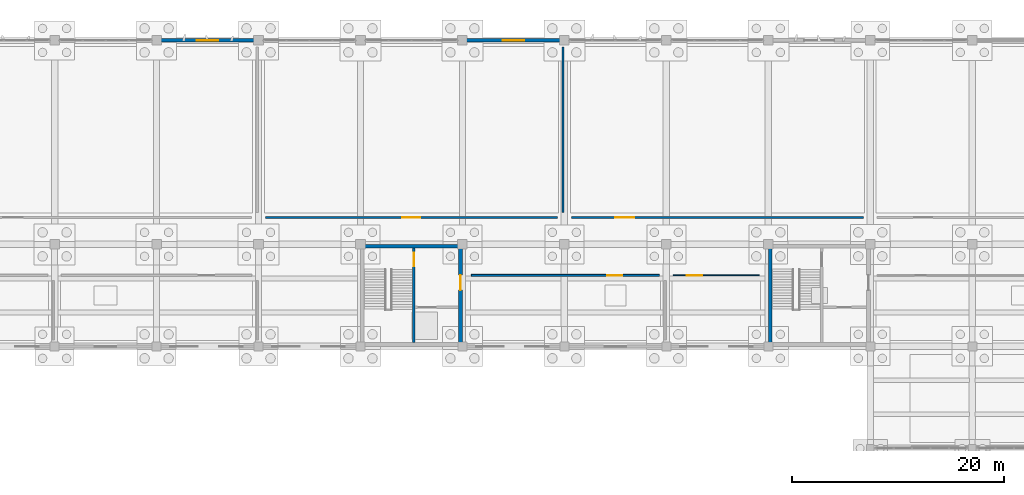
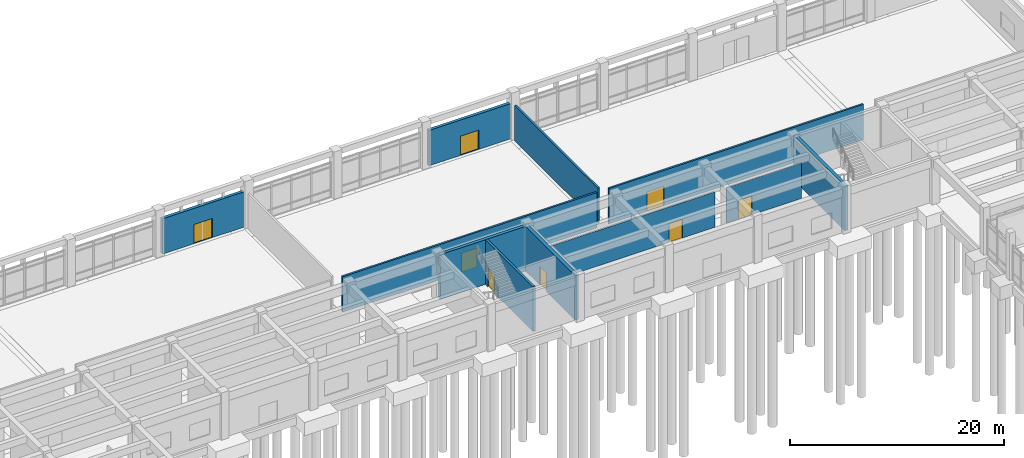
# One storey, part 82 of 102: 11 walls, 8 doors, 8 openings.
"""IFC4 building model written with IfcOpenShell, lengths in metres."""

from ifc_helpers import new_model, si_unit, direction, frame, frame_2d, origin, place, context, subcontext, project, spatial, rectangle, extrude, material, layer, layer_set, type_object, element, fill, save


model = new_model("IFC4")

# Units and contexts
model_context = context("Model", 3, precision=1e-05, world=origin(), true_north=direction((0.0, 1.0)))
body_context = subcontext(model_context, "Body", "Model", "MODEL_VIEW")
ifc_project = project(units=[si_unit("LENGTHUNIT", "METRE"), si_unit("AREAUNIT", "SQUARE_METRE"), si_unit("VOLUMEUNIT", "CUBIC_METRE"), si_unit("PLANEANGLEUNIT", "RADIAN"), si_unit("MASSUNIT", "GRAM", prefix="KILO")], contexts=[model_context])

# Site, building, storey
site_placement = place(None, origin())
site = spatial("IfcSite", under=ifc_project, at=site_placement, CompositionType="ELEMENT")
building_placement = place(site_placement, origin())
building = spatial("IfcBuilding", under=site, at=building_placement, Name="Kolvemor Railside Polytechnic", CompositionType="ELEMENT")
storey_placement = place(building_placement, origin())
storey = spatial("IfcBuildingStorey", under=building, at=storey_placement, Name="L00", CompositionType="ELEMENT", Elevation=0.0)

# Wall
ifc_material_1 = material(Name="Concrete C40/50", Category="concrete")
ifc_layer_1 = layer(ifc_material_1, 0.35009765625, Name="WL-CORE-350")
ifc_layer_set_1 = layer_set([ifc_layer_1], Name="Concrete C40/50")
wall_type_1 = type_object("IfcWallType", Name="WL-CORE-350", PredefinedType="SHEAR", material=ifc_layer_set_1)
wall_1_placement = place(storey_placement, frame((86.39990234375, 100.625, 0.0), z_axis=(0.0, 0.0, 1.0), x_axis=(1.0, 0.0, 0.0)))
element("IfcWall", 1, at=wall_1_placement, inside=storey, type_object=wall_type_1, Name="CORE-8 North Core Wall L00", PredefinedType="SHEAR", context=body_context, shape_type="SweptSolid", body=[
    extrude(rectangle(XDim=9.60009765625, YDim=0.35009765625, at=frame_2d((4.800048828125, 0.0))), origin(), (0.0, 0.0, 1.0), 5.110107421875),
])

# Wall, opening, door
wall_2_placement = place(storey_placement, frame((95.824951171875, 91.199951171875, 0.0), z_axis=(0.0, 0.0, 1.0), x_axis=(0.0, 1.0, 0.0)))
wall_2 = element("IfcWall", 2, at=wall_2_placement, inside=storey, type_object=wall_type_1, Name="CORE-8 East Core Wall L00", PredefinedType="SHEAR", context=body_context, shape_type="SweptSolid", body=[
    extrude(rectangle(XDim=9.60009765625, YDim=0.35009765625, at=frame_2d((4.800048828125, 0.0))), origin(), (0.0, 0.0, 1.0), 5.110107421875),
])
opening_1_placement = place(wall_2_placement, frame((5.300048828125, 0.0, 0.0)))
opening_1 = element("IfcOpeningElement", 3, at=opening_1_placement, cuts=wall_2, Name="Opening D-LOB-8-L00", PredefinedType="OPENING", context=body_context, shape_type="SweptSolid", body=[
    extrude(rectangle(XDim=1.39990234375, YDim=2.14990234375, at=frame_2d((0.699951171875, 1.074951171875))), frame((0.0, 0.18505859375, 0.0), z_axis=(0.0, -1.0, 0.0), x_axis=(1.0, 0.0, 0.0)), (0.0, 0.0, 1.0), 0.3701171875),
])
ifc_material_2 = material(Name="Fire-rated hardwood and brushed stainless-steel door", Category="steel")
door_type_1 = type_object("IfcDoorType", Name="DR-FD60-140x215", OperationType="NOTDEFINED", PredefinedType="DOOR", material=ifc_material_2)
door_1_placement = place(opening_1_placement, origin())
door_1 = element("IfcDoor", 4, at=door_1_placement, inside=storey, type_object=door_type_1, Name="Core Lobby Fire Door CORE-8 L00", OperationType="SINGLE_SWING_LEFT", OverallHeight=2.14990234375, OverallWidth=1.39990234375, PredefinedType="DOOR", context=body_context, shape_type="SweptSolid", body=[
    extrude(rectangle(XDim=1.39990234375, YDim=2.14990234375, at=frame_2d((0.699951171875, 1.074951171875))), frame((0.0, 0.02490234375, 0.0), z_axis=(0.0, -1.0, 0.0), x_axis=(1.0, 0.0, 0.0)), (0.0, 0.0, 1.0), 0.050048828125),
])
fill(opening_1, door_1)

# Wall
wall_3_placement = place(storey_placement, frame((124.97509765625, 91.199951171875, 0.0), z_axis=(0.0, 0.0, 1.0), x_axis=(0.0, 1.0, 0.0)))
element("IfcWall", 5, at=wall_3_placement, inside=storey, type_object=wall_type_1, Name="CORE-9 West Core Wall L00", PredefinedType="SHEAR", context=body_context, shape_type="SweptSolid", body=[
    extrude(rectangle(XDim=9.60009765625, YDim=0.35009765625, at=frame_2d((4.800048828125, 0.0))), origin(), (0.0, 0.0, 1.0), 5.110107421875),
])

# Wall, opening, door
ifc_material_3 = material(Name="Concrete C40/50", Category="concrete")
ifc_layer_2 = layer(ifc_material_3, 0.320068359375, Name="WL-EXT-RC-320")
ifc_layer_set_2 = layer_set([ifc_layer_2], Name="Concrete C40/50")
wall_type_2 = type_object("IfcWallType", Name="WL-EXT-RC-320", PredefinedType="SOLIDWALL", material=ifc_layer_set_2)
wall_4_placement = place(storey_placement, frame((76.419921875, 120.0, 0.0), z_axis=(0.0, 0.0, 1.0), x_axis=(-1.0, 0.0, 0.0)))
wall_4 = element("IfcWall", 6, at=wall_4_placement, inside=storey, type_object=wall_type_2, Name="Exterior Wall L00-0006", PredefinedType="SOLIDWALL", context=body_context, shape_type="SweptSolid", body=[
    extrude(rectangle(XDim=8.83984375, YDim=0.320068359375, at=frame_2d((4.419921875, 0.0))), origin(), (0.0, 0.0, 1.0), 4.0400390625),
])
opening_2_placement = place(wall_4_placement, frame((3.419921875, 0.0, 0.0)))
opening_2 = element("IfcOpeningElement", 7, at=opening_2_placement, cuts=wall_4, Name="Opening EX-02", PredefinedType="OPENING", context=body_context, shape_type="SweptSolid", body=[
    extrude(rectangle(XDim=2.0, YDim=2.199951171875, at=frame_2d((1.0, 1.10009765625))), frame((0.0, 0.169921875, 0.0), z_axis=(0.0, -1.0, 0.0), x_axis=(1.0, 0.0, 0.0)), (0.0, 0.0, 1.0), 0.340087890625),
])
ifc_material_4 = material(Name="Marine-grade thermally broken aluminium and laminated glass door", Category="aluminium")
door_type_2 = type_object("IfcDoorType", Name="DR-EXIT-200x220", OperationType="NOTDEFINED", PredefinedType="DOOR", material=ifc_material_4)
door_2_placement = place(opening_2_placement, origin())
door_2 = element("IfcDoor", 8, at=door_2_placement, inside=storey, type_object=door_type_2, Name="Exterior Door EX-02", OperationType="SINGLE_SWING_RIGHT", OverallHeight=2.199951171875, OverallWidth=2.0, PredefinedType="DOOR", context=body_context, shape_type="SweptSolid", body=[
    extrude(rectangle(XDim=2.0, YDim=2.199951171875, at=frame_2d((1.0, 1.10009765625))), frame((0.0, 0.02490234375, 0.0), z_axis=(0.0, -1.0, 0.0), x_axis=(1.0, 0.0, 0.0)), (0.0, 0.0, 1.0), 0.050048828125),
])
fill(opening_2, door_2)

wall_5_placement = place(storey_placement, frame((105.219970703125, 120.0, 0.0), z_axis=(0.0, 0.0, 1.0), x_axis=(-1.0, 0.0, 0.0)))
wall_5 = element("IfcWall", 9, at=wall_5_placement, inside=storey, type_object=wall_type_2, Name="Exterior Wall L00-0009", PredefinedType="SOLIDWALL", context=body_context, shape_type="SweptSolid", body=[
    extrude(rectangle(XDim=8.840087890625, YDim=0.320068359375, at=frame_2d((4.419921875, 0.0))), origin(), (0.0, 0.0, 1.0), 4.0400390625),
])
opening_3_placement = place(wall_5_placement, frame((3.419921875, 0.0, 0.0)))
opening_3 = element("IfcOpeningElement", 10, at=opening_3_placement, cuts=wall_5, Name="Opening EX-03", PredefinedType="OPENING", context=body_context, shape_type="SweptSolid", body=[
    extrude(rectangle(XDim=2.0, YDim=2.199951171875, at=frame_2d((1.0, 1.10009765625))), frame((0.0, 0.169921875, 0.0), z_axis=(0.0, -1.0, 0.0), x_axis=(1.0, 0.0, 0.0)), (0.0, 0.0, 1.0), 0.340087890625),
])
door_3_placement = place(opening_3_placement, origin())
door_3 = element("IfcDoor", 11, at=door_3_placement, inside=storey, type_object=door_type_2, Name="Exterior Door EX-03", OperationType="SINGLE_SWING_LEFT", OverallHeight=2.199951171875, OverallWidth=2.0, PredefinedType="DOOR", context=body_context, shape_type="SweptSolid", body=[
    extrude(rectangle(XDim=2.0, YDim=2.199951171875, at=frame_2d((1.0, 1.10009765625))), frame((0.0, 0.02490234375, 0.0), z_axis=(0.0, -1.0, 0.0), x_axis=(1.0, 0.0, 0.0)), (0.0, 0.0, 1.0), 0.050048828125),
])
fill(opening_3, door_3)

ifc_material_5 = material(Name="Fire-rated store partition")
ifc_layer_3 = layer(ifc_material_5, 0.110107421875, Name="WL-PART-110")
ifc_layer_set_3 = layer_set([ifc_layer_3], Name="Fire-rated store partition")
wall_type_3 = type_object("IfcWallType", Name="WL-PART-110", PredefinedType="PARTITIONING", material=ifc_layer_set_3)
wall_6_placement = place(storey_placement, frame((115.85009765625, 97.8798828125, 0.0), z_axis=(0.0, 0.0, 1.0), x_axis=(1.0, 0.0, 0.0)))
wall_6 = element("IfcWall", 12, at=wall_6_placement, inside=storey, type_object=wall_type_3, Name="Partition Wall L00-0016", PredefinedType="PARTITIONING", context=body_context, shape_type="SweptSolid", body=[
    extrude(rectangle(XDim=8.099853515625, YDim=0.110107421875, at=frame_2d((4.0498046875, 0.0))), origin(), (0.0, 0.0, 1.0), 4.0400390625),
])
opening_4_placement = place(wall_6_placement, frame((1.277099609375, 0.0, 0.0)))
opening_4 = element("IfcOpeningElement", 13, at=opening_4_placement, cuts=wall_6, Name="Opening D-00010", PredefinedType="OPENING", context=body_context, shape_type="SweptSolid", body=[
    extrude(rectangle(XDim=1.449951171875, YDim=2.14990234375, at=frame_2d((0.72509765625, 1.074951171875))), frame((0.0, 0.06494140625, 0.0), z_axis=(0.0, -1.0, 0.0), x_axis=(1.0, 0.0, 0.0)), (0.0, 0.0, 1.0), 0.130126953125),
])
ifc_material_6 = material(Name="Fire-rated hardwood and brushed stainless-steel door", Category="steel")
door_type_3 = type_object("IfcDoorType", Name="DR-PLT-145x215", OperationType="NOTDEFINED", PredefinedType="DOOR", material=ifc_material_6)
door_4_placement = place(opening_4_placement, origin())
door_4 = element("IfcDoor", 14, at=door_4_placement, inside=storey, type_object=door_type_3, Name="Room Door D-00010 (Welding Gas and Chemical Store)", OperationType="SINGLE_SWING_LEFT", OverallHeight=2.14990234375, OverallWidth=1.449951171875, PredefinedType="DOOR", context=body_context, shape_type="SweptSolid", body=[
    extrude(rectangle(XDim=1.449951171875, YDim=2.14990234375, at=frame_2d((0.72509765625, 1.074951171875))), frame((0.0, 0.02490234375, 0.0), z_axis=(0.0, -1.0, 0.0), x_axis=(1.0, 0.0, 0.0)), (0.0, 0.0, 1.0), 0.050048828125),
])
fill(opening_4, door_4)

ifc_material_7 = material(Name="Fire-rated double-stud acoustic partition")
ifc_layer_4 = layer(ifc_material_7, 0.179931640625, Name="WL-PART-180")
ifc_layer_set_4 = layer_set([ifc_layer_4], Name="Fire-rated double-stud acoustic partition")
wall_type_4 = type_object("IfcWallType", Name="WL-PART-180", PredefinedType="PARTITIONING", material=ifc_layer_set_4)
wall_7_placement = place(storey_placement, frame((96.85009765625, 97.8798828125, 0.0), z_axis=(0.0, 0.0, 1.0), x_axis=(1.0, 0.0, 0.0)))
wall_7 = element("IfcWall", 15, at=wall_7_placement, inside=storey, type_object=wall_type_4, Name="Partition Wall L00-0014", PredefinedType="PARTITIONING", context=body_context, shape_type="SweptSolid", body=[
    extrude(rectangle(XDim=17.699951171875, YDim=0.179931640625, at=frame_2d((8.85009765625, 0.0))), origin(), (0.0, 0.0, 1.0), 4.0400390625),
])
opening_5_placement = place(wall_7_placement, frame((12.760009765625, 0.0, 0.0)))
opening_5 = element("IfcOpeningElement", 16, at=opening_5_placement, cuts=wall_7, Name="Opening D-00009", PredefinedType="OPENING", context=body_context, shape_type="SweptSolid", body=[
    extrude(rectangle(XDim=1.449951171875, YDim=2.14990234375, at=frame_2d((0.72509765625, 1.074951171875))), frame((0.0, 0.099853515625, 0.0), z_axis=(0.0, -1.0, 0.0), x_axis=(1.0, 0.0, 0.0)), (0.0, 0.0, 1.0), 0.199951171875),
])
door_5_placement = place(opening_5_placement, origin())
door_5 = element("IfcDoor", 17, at=door_5_placement, inside=storey, type_object=door_type_3, Name="Room Door D-00009 (Primary 11 kV Electrical Switchroom)", OperationType="SINGLE_SWING_RIGHT", OverallHeight=2.14990234375, OverallWidth=1.449951171875, PredefinedType="DOOR", context=body_context, shape_type="SweptSolid", body=[
    extrude(rectangle(XDim=1.449951171875, YDim=2.14990234375, at=frame_2d((0.72509765625, 1.074951171875))), frame((0.0, 0.02490234375, 0.0), z_axis=(0.0, -1.0, 0.0), x_axis=(1.0, 0.0, 0.0)), (0.0, 0.0, 1.0), 0.050048828125),
])
fill(opening_5, door_5)

ifc_material_8 = material(Name="Acoustic concrete blockwork and gypsum", Category="masonry")
ifc_layer_5 = layer(ifc_material_8, 0.199951171875, Name="WL-PART-200")
ifc_layer_set_5 = layer_set([ifc_layer_5], Name="Acoustic concrete blockwork and gypsum")
wall_type_5 = type_object("IfcWallType", Name="WL-PART-200", PredefinedType="PARTITIONING", material=ifc_layer_set_5)
wall_8_placement = place(storey_placement, frame((77.449951171875, 103.320068359375, 0.0), z_axis=(0.0, 0.0, 1.0), x_axis=(1.0, 0.0, 0.0)))
wall_8 = element("IfcWall", 18, at=wall_8_placement, inside=storey, type_object=wall_type_5, Name="Partition Wall L00-0004", PredefinedType="PARTITIONING", context=body_context, shape_type="SweptSolid", body=[
    extrude(rectangle(XDim=27.5, YDim=0.199951171875, at=frame_2d((13.75, 0.0))), origin(), (0.0, 0.0, 1.0), 4.0400390625),
])
opening_6_placement = place(wall_8_placement, frame((12.89990234375, 0.0, 0.0)))
opening_6 = element("IfcOpeningElement", 19, at=opening_6_placement, cuts=wall_8, Name="Opening D-00003", PredefinedType="OPENING", context=body_context, shape_type="SweptSolid", body=[
    extrude(rectangle(XDim=1.699951171875, YDim=2.199951171875, at=frame_2d((0.85009765625, 1.10009765625))), frame((0.0, 0.10986328125, 0.0), z_axis=(0.0, -1.0, 0.0), x_axis=(1.0, 0.0, 0.0)), (0.0, 0.0, 1.0), 0.219970703125),
])
ifc_material_9 = material(Name="Fire-rated hardwood and brushed stainless-steel door", Category="steel")
door_type_4 = type_object("IfcDoorType", Name="DR-WKS-170x220", OperationType="NOTDEFINED", PredefinedType="DOOR", material=ifc_material_9)
door_6_placement = place(opening_6_placement, origin())
door_6 = element("IfcDoor", 20, at=door_6_placement, inside=storey, type_object=door_type_4, Name="Room Door D-00003 (Structural Testing Crane Bay Engineering Workshop)", OperationType="SINGLE_SWING_RIGHT", OverallHeight=2.199951171875, OverallWidth=1.699951171875, PredefinedType="DOOR", context=body_context, shape_type="SweptSolid", body=[
    extrude(rectangle(XDim=1.699951171875, YDim=2.199951171875, at=frame_2d((0.85009765625, 1.10009765625))), frame((0.0, 0.02490234375, 0.0), z_axis=(0.0, -1.0, 0.0), x_axis=(1.0, 0.0, 0.0)), (0.0, 0.0, 1.0), 0.050048828125),
])
fill(opening_6, door_6)

# Wall
wall_9_placement = place(storey_placement, frame((105.47998046875, 103.800048828125, 0.0), z_axis=(0.0, 0.0, 1.0), x_axis=(0.0, 1.0, 0.0)))
element("IfcWall", 21, at=wall_9_placement, inside=storey, type_object=wall_type_5, Name="Demising Partition L00-0005", PredefinedType="PARTITIONING", context=body_context, shape_type="SweptSolid", body=[
    extrude(rectangle(XDim=15.599853515625, YDim=0.199951171875, at=frame_2d((7.7998046875, 0.0))), origin(), (0.0, 0.0, 1.0), 4.0400390625),
])

# Wall, opening, door
wall_10_placement = place(storey_placement, frame((106.25, 103.320068359375, 0.0), z_axis=(0.0, 0.0, 1.0), x_axis=(1.0, 0.0, 0.0)))
wall_10 = element("IfcWall", 22, at=wall_10_placement, inside=storey, type_object=wall_type_5, Name="Partition Wall L00-0006", PredefinedType="PARTITIONING", context=body_context, shape_type="SweptSolid", body=[
    extrude(rectangle(XDim=27.5, YDim=0.199951171875, at=frame_2d((13.75, 0.0))), origin(), (0.0, 0.0, 1.0), 4.0400390625),
])
opening_7_placement = place(wall_10_placement, frame((4.135009765625, 0.0, 0.0)))
opening_7 = element("IfcOpeningElement", 23, at=opening_7_placement, cuts=wall_10, Name="Opening D-00004", PredefinedType="OPENING", context=body_context, shape_type="SweptSolid", body=[
    extrude(rectangle(XDim=1.800048828125, YDim=2.199951171875, at=frame_2d((0.89990234375, 1.10009765625))), frame((0.0, 0.10986328125, 0.0), z_axis=(0.0, -1.0, 0.0), x_axis=(1.0, 0.0, 0.0)), (0.0, 0.0, 1.0), 0.219970703125),
])
ifc_material_10 = material(Name="Fire-rated hardwood and brushed stainless-steel door", Category="steel")
door_type_5 = type_object("IfcDoorType", Name="DR-WKS-180x220", OperationType="NOTDEFINED", PredefinedType="DOOR", material=ifc_material_10)
door_7_placement = place(opening_7_placement, origin())
door_7 = element("IfcDoor", 24, at=door_7_placement, inside=storey, type_object=door_type_5, Name="Room Door D-00004 (Robotics and Mechatronics Engineering Workshop)", OperationType="SINGLE_SWING_LEFT", OverallHeight=2.199951171875, OverallWidth=1.800048828125, PredefinedType="DOOR", context=body_context, shape_type="SweptSolid", body=[
    extrude(rectangle(XDim=1.800048828125, YDim=2.199951171875, at=frame_2d((0.89990234375, 1.10009765625))), frame((0.0, 0.02490234375, 0.0), z_axis=(0.0, -1.0, 0.0), x_axis=(1.0, 0.0, 0.0)), (0.0, 0.0, 1.0), 0.050048828125),
])
fill(opening_7, door_7)

ifc_material_11 = material(Name="Concrete C40/50", Category="concrete")
ifc_layer_6 = layer(ifc_material_11, 0.25, Name="WL-SHFT-250")
ifc_layer_set_6 = layer_set([ifc_layer_6], Name="Concrete C40/50")
wall_type_6 = type_object("IfcWallType", Name="WL-SHFT-250", PredefinedType="SHEAR", material=ifc_layer_set_6)
wall_11_placement = place(storey_placement, frame((91.425048828125, 100.449951171875, 0.0), z_axis=(0.0, 0.0, 1.0), x_axis=(0.0, -1.0, 0.0)))
wall_11 = element("IfcWall", 25, at=wall_11_placement, inside=storey, type_object=wall_type_6, Name="CORE-8 Stair-Lobby Divider Wall L00", PredefinedType="SHEAR", context=body_context, shape_type="SweptSolid", body=[
    extrude(rectangle(XDim=8.89990234375, YDim=0.25, at=frame_2d((4.449951171875, 0.0))), origin(), (0.0, 0.0, 1.0), 5.110107421875),
])
opening_8_placement = place(wall_11_placement, frame((0.449951171875, 0.0, 0.0)))
opening_8 = element("IfcOpeningElement", 26, at=opening_8_placement, cuts=wall_11, Name="Opening D-ST-8-L00", PredefinedType="OPENING", context=body_context, shape_type="SweptSolid", body=[
    extrude(rectangle(XDim=1.25, YDim=2.14990234375, at=frame_2d((0.625, 1.074951171875))), frame((0.0, 0.135009765625, 0.0), z_axis=(0.0, -1.0, 0.0), x_axis=(1.0, 0.0, 0.0)), (0.0, 0.0, 1.0), 0.27001953125),
])
ifc_material_12 = material(Name="Fire-rated hardwood and brushed stainless-steel door", Category="steel")
door_type_6 = type_object("IfcDoorType", Name="DR-FD90-125x215", OperationType="NOTDEFINED", PredefinedType="DOOR", material=ifc_material_12)
door_8_placement = place(opening_8_placement, origin())
door_8 = element("IfcDoor", 27, at=door_8_placement, inside=storey, type_object=door_type_6, Name="Stair Fire Door ST-8 L00", OperationType="SINGLE_SWING_RIGHT", OverallHeight=2.14990234375, OverallWidth=1.25, PredefinedType="DOOR", context=body_context, shape_type="SweptSolid", body=[
    extrude(rectangle(XDim=1.25, YDim=2.14990234375, at=frame_2d((0.625, 1.074951171875))), frame((0.0, 0.02490234375, 0.0), z_axis=(0.0, -1.0, 0.0), x_axis=(1.0, 0.0, 0.0)), (0.0, 0.0, 1.0), 0.050048828125),
])
fill(opening_8, door_8)

save(model, "model.ifc")
